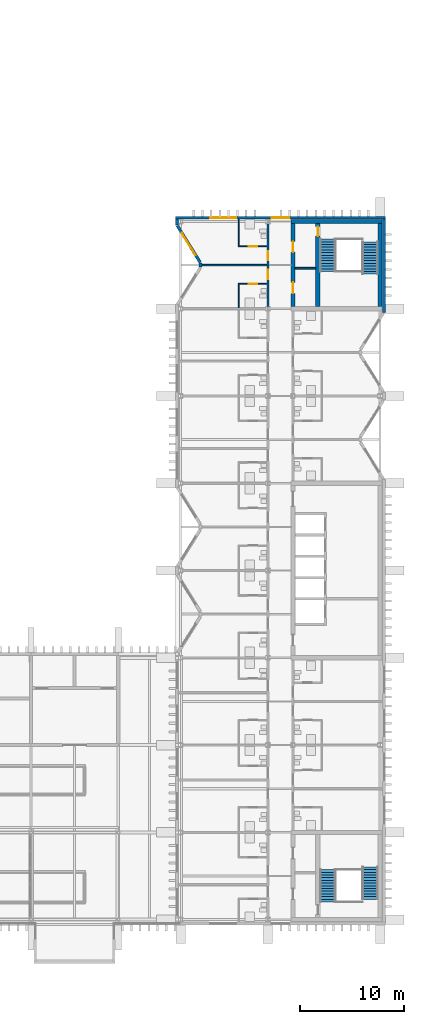
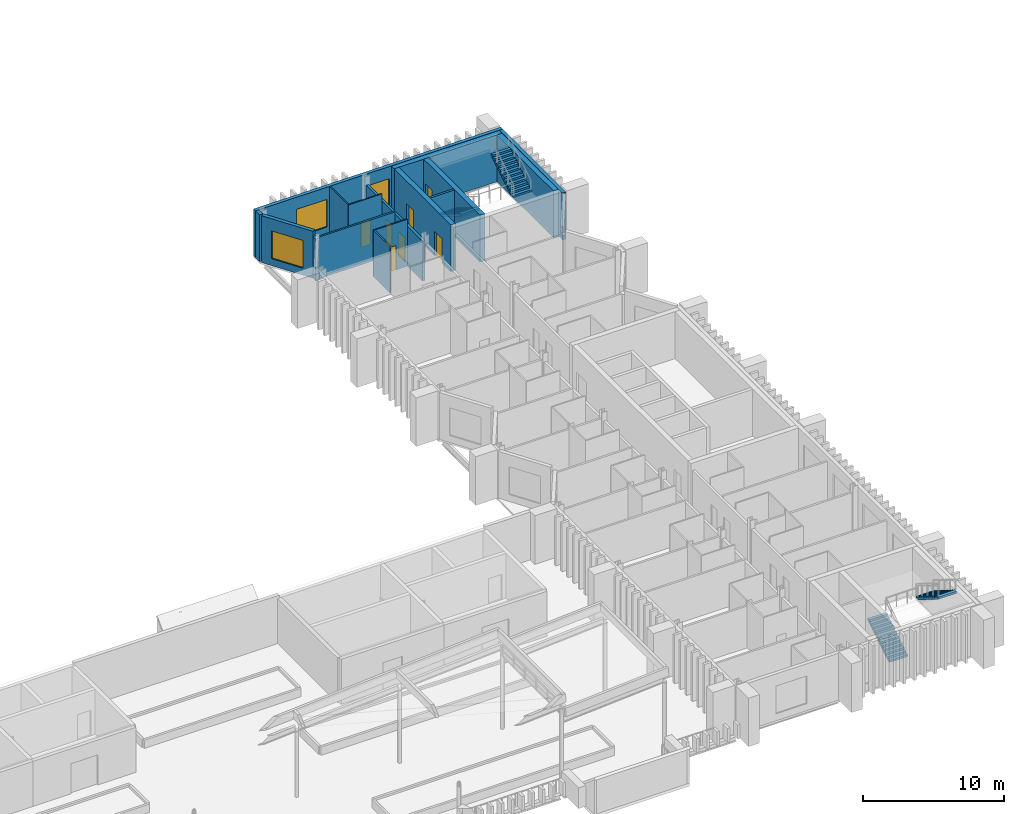
# One storey, part 42 of 51: 16 walls, 7 doors, 4 stair flights, 3 windows, 10 openings, 2 elements without a shape of their own.
"""IFC4 building model written with IfcOpenShell, lengths in metres."""

from ifc_helpers import new_model, si_unit, direction, frame, frame_2d, origin, place, context, subcontext, project, spatial, polyline, rectangle, outline, extrude, material, layer, layer_set, type_object, element, fill, aggregate, save


model = new_model("IFC4")

# Units and contexts
model_context = context("Model", 3, precision=1e-05, world=origin(), true_north=direction((0.0, 1.0)))
body_context = subcontext(model_context, "Body", "Model", "MODEL_VIEW")
ifc_project = project(units=[si_unit("LENGTHUNIT", "METRE"), si_unit("AREAUNIT", "SQUARE_METRE"), si_unit("VOLUMEUNIT", "CUBIC_METRE"), si_unit("PLANEANGLEUNIT", "RADIAN"), si_unit("MASSUNIT", "GRAM", prefix="KILO")], contexts=[model_context])

# Site, building, storey
site_placement = place(None, origin())
site = spatial("IfcSite", under=ifc_project, at=site_placement, CompositionType="ELEMENT")
building_placement = place(site_placement, origin())
building = spatial("IfcBuilding", under=site, at=building_placement, Name="Cresset Court Congress Hotel", CompositionType="ELEMENT")
storey_placement = place(building_placement, frame((0.0, 0.0, 18.60009765625)))
storey = spatial("IfcBuildingStorey", under=building, at=storey_placement, Name="L04", CompositionType="ELEMENT", Elevation=18.60009765625)

# Wall, openings, doors
ifc_material_1 = material(Name="Gypsum board partition")
ifc_layer_1 = layer(ifc_material_1, 0.199951171875)
ifc_layer_set_1 = layer_set([ifc_layer_1], Name="Corridor wall 200")
wall_type_1 = type_object("IfcWallType", Name="Corridor wall 200", PredefinedType="PARTITIONING", material=ifc_layer_set_1)
wall_1_placement = place(storey_placement, frame((165.60009765625, 59.007080078125, 0.0), z_axis=(0.0, 0.0, 1.0), x_axis=(0.0, 1.0, 0.0)))
wall_1 = element("IfcWall", 1, at=wall_1_placement, inside=storey, type_object=wall_type_1, Name="A.wl.L04.077", PredefinedType="PARTITIONING", context=body_context, shape_type="SweptSolid", body=[
    extrude(rectangle(XDim=7.98583984375, YDim=0.199951171875, at=frame_2d((3.992919921875, 0.0))), origin(), (0.0, 0.0, 1.0), 3.449951171875),
])
opening_1_placement = place(wall_1_placement, frame((2.64306640625, 0.0, 0.0)))
opening_1 = element("IfcOpeningElement", 2, at=opening_1_placement, cuts=wall_1, Name="Opening DA-04-30", PredefinedType="OPENING", context=body_context, shape_type="SweptSolid", body=[
    extrude(rectangle(XDim=0.89990234375, YDim=2.10009765625, at=frame_2d((0.449951171875, 1.050048828125))), frame((0.0, 0.10986328125, 0.0), z_axis=(0.0, -1.0, 0.0), x_axis=(1.0, 0.0, 0.0)), (0.0, 0.0, 1.0), 0.219970703125),
])
opening_2_placement = place(wall_1_placement, frame((4.443115234375, 0.0, 0.0)))
opening_2 = element("IfcOpeningElement", 3, at=opening_2_placement, cuts=wall_1, Name="Opening DA-04-32", PredefinedType="OPENING", context=body_context, shape_type="SweptSolid", body=[
    extrude(rectangle(XDim=0.89990234375, YDim=2.10009765625, at=frame_2d((0.449951171875, 1.050048828125))), frame((0.0, 0.10986328125, 0.0), z_axis=(0.0, -1.0, 0.0), x_axis=(1.0, 0.0, 0.0)), (0.0, 0.0, 1.0), 0.219970703125),
])
ifc_material_2 = material(Name="timber", Category="wood")
door_type_1 = type_object("IfcDoorType", Name="Guest-room entry door 900x2100 FD30S", OperationType="SINGLE_SWING_LEFT", PredefinedType="DOOR", material=ifc_material_2)
door_1_placement = place(opening_1_placement, origin())
door_1 = element("IfcDoor", 4, at=door_1_placement, inside=storey, type_object=door_type_1, Name="Door DA-04-30", OperationType="SINGLE_SWING_RIGHT", OverallHeight=2.10009765625, OverallWidth=0.89990234375, PredefinedType="DOOR", context=body_context, shape_type="SweptSolid", body=[
    extrude(rectangle(XDim=0.89990234375, YDim=2.10009765625, at=frame_2d((0.449951171875, 1.050048828125))), frame((0.0, 0.02490234375, 0.0), z_axis=(0.0, -1.0, 0.0), x_axis=(1.0, 0.0, 0.0)), (0.0, 0.0, 1.0), 0.050048828125),
])
fill(opening_1, door_1)
door_2_placement = place(opening_2_placement, origin())
door_2 = element("IfcDoor", 5, at=door_2_placement, inside=storey, type_object=door_type_1, Name="Door DA-04-32", OperationType="SINGLE_SWING_LEFT", OverallHeight=2.10009765625, OverallWidth=0.89990234375, PredefinedType="DOOR", context=body_context, shape_type="SweptSolid", body=[
    extrude(rectangle(XDim=0.89990234375, YDim=2.10009765625, at=frame_2d((0.449951171875, 1.050048828125))), frame((0.0, 0.02490234375, 0.0), z_axis=(0.0, -1.0, 0.0), x_axis=(1.0, 0.0, 0.0)), (0.0, 0.0, 1.0), 0.050048828125),
])
fill(opening_2, door_2)

# Wall
ifc_material_3 = material(Name="Gypsum board partition")
ifc_layer_2 = layer(ifc_material_3, 0.10009765625)
ifc_layer_set_2 = layer_set([ifc_layer_2], Name="En-suite wall 100")
wall_type_2 = type_object("IfcWallType", Name="En-suite wall 100", PredefinedType="PARTITIONING", material=ifc_layer_set_2)
wall_2_placement = place(storey_placement, frame((162.800048828125, 58.875, 0.0), z_axis=(0.0, 0.0, 1.0), x_axis=(0.0, 1.0, 0.0)))
element("IfcWall", 6, at=wall_2_placement, inside=storey, type_object=wall_type_2, Name="A.wl.L04.029", PredefinedType="PARTITIONING", context=body_context, shape_type="SweptSolid", body=[
    extrude(rectangle(XDim=2.324951171875, YDim=0.10009765625, at=frame_2d((1.16259765625, 0.0))), origin(), (0.0, 0.0, 1.0), 4.0498046875),
])

# Wall, opening, door
wall_3_placement = place(storey_placement, frame((162.75, 61.199951171875, 0.0), z_axis=(0.0, 0.0, 1.0), x_axis=(1.0, 0.0, 0.0)))
wall_3 = element("IfcWall", 7, at=wall_3_placement, inside=storey, type_object=wall_type_2, Name="A.wl.L04.030", PredefinedType="PARTITIONING", context=body_context, shape_type="SweptSolid", body=[
    extrude(rectangle(XDim=2.75, YDim=0.10009765625, at=frame_2d((1.375, 0.0))), origin(), (0.0, 0.0, 1.0), 4.0498046875),
])
opening_3_placement = place(wall_3_placement, frame((1.030029296875, 0.0, 0.0)))
opening_3 = element("IfcOpeningElement", 8, at=opening_3_placement, cuts=wall_3, Name="Opening DA-04-29", PredefinedType="OPENING", context=body_context, shape_type="SweptSolid", body=[
    extrude(rectangle(XDim=0.800048828125, YDim=2.10009765625, at=frame_2d((0.39990234375, 1.050048828125))), frame((0.0, 0.06005859375, 0.0), z_axis=(0.0, -1.0, 0.0), x_axis=(1.0, 0.0, 0.0)), (0.0, 0.0, 1.0), 0.1201171875),
])
ifc_material_4 = material(Name="timber", Category="wood")
door_type_2 = type_object("IfcDoorType", Name="En-suite door 800x2100", OperationType="SINGLE_SWING_LEFT", PredefinedType="DOOR", material=ifc_material_4)
door_3_placement = place(opening_3_placement, origin())
door_3 = element("IfcDoor", 9, at=door_3_placement, inside=storey, type_object=door_type_2, Name="Door DA-04-29", OperationType="SINGLE_SWING_RIGHT", OverallHeight=2.10009765625, OverallWidth=0.800048828125, PredefinedType="DOOR", context=body_context, shape_type="SweptSolid", body=[
    extrude(rectangle(XDim=0.800048828125, YDim=2.10009765625, at=frame_2d((0.39990234375, 1.050048828125))), frame((0.0, 0.02490234375, 0.0), z_axis=(0.0, -1.0, 0.0), x_axis=(1.0, 0.0, 0.0)), (0.0, 0.0, 1.0), 0.050048828125),
])
fill(opening_3, door_3)

# Wall
wall_4_placement = place(storey_placement, frame((162.800048828125, 64.800048828125, 0.0), z_axis=(0.0, 0.0, 1.0), x_axis=(0.0, 1.0, 0.0)))
element("IfcWall", 10, at=wall_4_placement, inside=storey, type_object=wall_type_2, Name="A.wl.L04.031", PredefinedType="PARTITIONING", context=body_context, shape_type="SweptSolid", body=[
    extrude(rectangle(XDim=2.619873046875, YDim=0.10009765625, at=frame_2d((1.31005859375, 0.0))), origin(), (0.0, 0.0, 1.0), 4.0498046875),
])

# Wall, opening, door
wall_5_placement = place(storey_placement, frame((162.75, 64.800048828125, 0.0), z_axis=(0.0, 0.0, 1.0), x_axis=(1.0, 0.0, 0.0)))
wall_5 = element("IfcWall", 11, at=wall_5_placement, inside=storey, type_object=wall_type_2, Name="A.wl.L04.032", PredefinedType="PARTITIONING", context=body_context, shape_type="SweptSolid", body=[
    extrude(rectangle(XDim=2.75, YDim=0.10009765625, at=frame_2d((1.375, 0.0))), origin(), (0.0, 0.0, 1.0), 4.0498046875),
])
opening_4_placement = place(wall_5_placement, frame((1.030029296875, 0.0, 0.0)))
opening_4 = element("IfcOpeningElement", 12, at=opening_4_placement, cuts=wall_5, Name="Opening DA-04-31", PredefinedType="OPENING", context=body_context, shape_type="SweptSolid", body=[
    extrude(rectangle(XDim=0.800048828125, YDim=2.10009765625, at=frame_2d((0.39990234375, 1.050048828125))), frame((0.0, 0.06005859375, 0.0), z_axis=(0.0, -1.0, 0.0), x_axis=(1.0, 0.0, 0.0)), (0.0, 0.0, 1.0), 0.1201171875),
])
door_4_placement = place(opening_4_placement, origin())
door_4 = element("IfcDoor", 13, at=door_4_placement, inside=storey, type_object=door_type_2, Name="Door DA-04-31", OperationType="SINGLE_SWING_LEFT", OverallHeight=2.10009765625, OverallWidth=0.800048828125, PredefinedType="DOOR", context=body_context, shape_type="SweptSolid", body=[
    extrude(rectangle(XDim=0.800048828125, YDim=2.10009765625, at=frame_2d((0.39990234375, 1.050048828125))), frame((0.0, 0.02490234375, 0.0), z_axis=(0.0, -1.0, 0.0), x_axis=(1.0, 0.0, 0.0)), (0.0, 0.0, 1.0), 0.050048828125),
])
fill(opening_4, door_4)

# Wall, opening, window
ifc_material_5 = material(Name="Precast concrete C50", Category="concrete")
ifc_layer_3 = layer(ifc_material_5, 0.280029296875)
ifc_layer_set_3 = layer_set([ifc_layer_3], Name="External wall 280")
wall_type_3 = type_object("IfcWallType", Name="External wall 280", PredefinedType="SOLIDWALL", material=ifc_layer_set_3)
wall_6_placement = place(storey_placement, frame((159.07861328125, 63.259033203125, 0.0), z_axis=(0.0, 0.0, 1.0), x_axis=(-0.529018946142, 0.848610013271, 0.0)))
wall_6 = element("IfcWall", 14, at=wall_6_placement, inside=storey, type_object=wall_type_3, Name="A.ew.L04.Wn.7.1", PredefinedType="SOLIDWALL", context=body_context, shape_type="SweptSolid", body=[
    extrude(rectangle(XDim=4.144287109375, YDim=0.280029296875, at=frame_2d((2.072265625, 0.0))), origin(), (0.0, 0.0, 1.0), 4.0498046875),
])
opening_5_placement = place(wall_6_placement, frame((0.812255859375, 0.0, 0.60009765625)))
opening_5 = element("IfcOpeningElement", 15, at=opening_5_placement, cuts=wall_6, Name="Opening NA-04-16", PredefinedType="OPENING", context=body_context, shape_type="SweptSolid", body=[
    extrude(rectangle(XDim=2.52001953125, YDim=2.39990234375, at=frame_2d((1.260009765625, 1.199951171875))), frame((0.0, 0.14990234375, 0.0), z_axis=(0.0, -1.0, 0.0), x_axis=(1.0, 0.0, 0.0)), (0.0, 0.0, 1.0), 0.300048828125),
])
ifc_material_6 = material(Name="Aluminium and glass", Category="aluminium")
window_type_1 = type_object("IfcWindowType", Name="Window 2520x2400", PartitioningType="SINGLE_PANEL", PredefinedType="WINDOW", material=ifc_material_6)
window_1_placement = place(opening_5_placement, origin())
window_1 = element("IfcWindow", 16, at=window_1_placement, inside=storey, type_object=window_type_1, Name="Window NA-04-16", OverallHeight=2.39990234375, OverallWidth=2.52001953125, PartitioningType="SINGLE_PANEL", PredefinedType="WINDOW", context=body_context, shape_type="SweptSolid", body=[
    extrude(rectangle(XDim=2.52001953125, YDim=2.39990234375, at=frame_2d((1.260009765625, 1.199951171875))), frame((0.0, 0.030029296875, 0.0), z_axis=(0.0, -1.0, 0.0), x_axis=(1.0, 0.0, 0.0)), (0.0, 0.0, 1.0), 0.06005859375),
])
fill(opening_5, window_1)

# Walls
wall_7_placement = place(storey_placement, frame((159.099609375, 62.815185546875, 0.0), z_axis=(0.0, 0.0, 1.0), x_axis=(0.0, 1.0, 0.0)))
element("IfcWall", 17, at=wall_7_placement, inside=storey, type_object=wall_type_3, Name="A.ew.L04.Wn.7.2", PredefinedType="SOLIDWALL", context=body_context, shape_type="SweptSolid", body=[
    extrude(rectangle(XDim=0.36962890625, YDim=0.280029296875, at=frame_2d((0.184814453125, 0.0))), origin(), (0.0, 0.0, 1.0), 3.60400390625),
])
wall_8_placement = place(storey_placement, frame((156.840087890625, 66.85009765625, 0.0), z_axis=(0.0, 0.0, 1.0), x_axis=(0.0, 1.0, 0.0)))
element("IfcWall", 18, at=wall_8_placement, inside=storey, type_object=wall_type_3, Name="A.ew.L04.W.4", PredefinedType="SOLIDWALL", context=body_context, shape_type="SweptSolid", body=[
    extrude(rectangle(XDim=0.56982421875, YDim=0.280029296875, at=frame_2d((0.284912109375, 0.0))), origin(), (0.0, 0.0, 1.0), 4.0498046875),
])
wall_9_placement = place(storey_placement, frame((176.760009765625, 58.449951171875, 0.0), z_axis=(0.0, 0.0, 1.0), x_axis=(0.0, 1.0, 0.0)))
element("IfcWall", 19, at=wall_9_placement, inside=storey, type_object=wall_type_3, Name="A.ew.L04.E.3", PredefinedType="SOLIDWALL", context=body_context, shape_type="SweptSolid", body=[
    extrude(rectangle(XDim=8.969970703125, YDim=0.280029296875, at=frame_2d((4.48486328125, 0.0))), origin(), (0.0, 0.0, 1.0), 4.0498046875),
])

# Wall, openings, windows
ifc_material_7 = material(Name="Precast concrete C50", Category="concrete")
ifc_layer_4 = layer(ifc_material_7, 0.280029296875)
ifc_layer_set_4 = layer_set([ifc_layer_4], Name="Gable end wall 280")
wall_type_4 = type_object("IfcWallType", Name="Gable end wall 280", PredefinedType="SOLIDWALL", material=ifc_layer_set_4)
wall_10_placement = place(storey_placement, frame((156.699951171875, 67.56005859375, 0.0), z_axis=(0.0, 0.0, 1.0), x_axis=(1.0, 0.0, 0.0)))
wall_10 = element("IfcWall", 20, at=wall_10_placement, inside=storey, type_object=wall_type_4, Name="A.ew.L04.N.1", PredefinedType="SOLIDWALL", context=body_context, shape_type="SweptSolid", body=[
    extrude(rectangle(XDim=20.199951171875, YDim=0.280029296875, at=frame_2d((10.10009765625, 0.0))), origin(), (0.0, 0.0, 1.0), 4.0498046875),
])
opening_6_placement = place(wall_10_placement, frame((9.260009765625, 0.0, 0.60009765625)))
opening_6 = element("IfcOpeningElement", 21, at=opening_6_placement, cuts=wall_10, Name="Opening NA-04-27", PredefinedType="OPENING", context=body_context, shape_type="SweptSolid", body=[
    extrude(rectangle(XDim=1.679931640625, YDim=2.39990234375, at=frame_2d((0.83984375, 1.199951171875))), frame((0.0, 0.14990234375, 0.0), z_axis=(0.0, -1.0, 0.0), x_axis=(1.0, 0.0, 0.0)), (0.0, 0.0, 1.0), 0.300048828125),
])
opening_7_placement = place(wall_10_placement, frame((3.340087890625, 0.0, 0.60009765625)))
opening_7 = element("IfcOpeningElement", 22, at=opening_7_placement, cuts=wall_10, Name="Opening NA-04-28", PredefinedType="OPENING", context=body_context, shape_type="SweptSolid", body=[
    extrude(rectangle(XDim=2.52001953125, YDim=2.39990234375, at=frame_2d((1.260009765625, 1.199951171875))), frame((0.0, 0.14990234375, 0.0), z_axis=(0.0, -1.0, 0.0), x_axis=(1.0, 0.0, 0.0)), (0.0, 0.0, 1.0), 0.300048828125),
])
ifc_material_8 = material(Name="Aluminium and glass", Category="aluminium")
window_type_2 = type_object("IfcWindowType", Name="Window 1680x2400", PartitioningType="SINGLE_PANEL", PredefinedType="WINDOW", material=ifc_material_8)
window_2_placement = place(opening_6_placement, origin())
window_2 = element("IfcWindow", 23, at=window_2_placement, inside=storey, type_object=window_type_2, Name="Window NA-04-27", OverallHeight=2.39990234375, OverallWidth=1.679931640625, PartitioningType="SINGLE_PANEL", PredefinedType="WINDOW", context=body_context, shape_type="SweptSolid", body=[
    extrude(rectangle(XDim=1.679931640625, YDim=2.39990234375, at=frame_2d((0.83984375, 1.199951171875))), frame((0.0, 0.030029296875, 0.0), z_axis=(0.0, -1.0, 0.0), x_axis=(1.0, 0.0, 0.0)), (0.0, 0.0, 1.0), 0.06005859375),
])
fill(opening_6, window_2)
window_3_placement = place(opening_7_placement, origin())
window_3 = element("IfcWindow", 24, at=window_3_placement, inside=storey, type_object=window_type_1, Name="Window NA-04-28", OverallHeight=2.39990234375, OverallWidth=2.52001953125, PartitioningType="SINGLE_PANEL", PredefinedType="WINDOW", context=body_context, shape_type="SweptSolid", body=[
    extrude(rectangle(XDim=2.52001953125, YDim=2.39990234375, at=frame_2d((1.260009765625, 1.199951171875))), frame((0.0, 0.030029296875, 0.0), z_axis=(0.0, -1.0, 0.0), x_axis=(1.0, 0.0, 0.0)), (0.0, 0.0, 1.0), 0.06005859375),
])
fill(opening_7, window_3)

# Walls
ifc_material_9 = material(Name="Gypsum board partition")
ifc_layer_5 = layer(ifc_material_9, 0.14990234375)
ifc_layer_set_5 = layer_set([ifc_layer_5], Name="Guest-room partition 150")
wall_type_5 = type_object("IfcWallType", Name="Guest-room partition 150", PredefinedType="PARTITIONING", material=ifc_layer_set_5)
wall_11_placement = place(storey_placement, frame((159.23974609375, 63.0, 0.0), z_axis=(0.0, 0.0, 1.0), x_axis=(1.0, 0.0, 0.0)))
element("IfcWall", 25, at=wall_11_placement, inside=storey, type_object=wall_type_5, Name="A.wl.L04.065", PredefinedType="PARTITIONING", context=body_context, shape_type="SweptSolid", body=[
    extrude(rectangle(XDim=6.26025390625, YDim=0.14990234375, at=frame_2d((3.130126953125, 0.0))), origin(), (0.0, 0.0, 1.0), 3.60400390625),
])
ifc_material_10 = material(Name="Concrete block wall", Category="concrete")
ifc_layer_6 = layer(ifc_material_10, 0.175048828125)
ifc_layer_set_6 = layer_set([ifc_layer_6], Name="Riser shaft wall 175")
wall_type_6 = type_object("IfcWallType", Name="Riser shaft wall 175", PredefinedType="PARTITIONING", material=ifc_layer_set_6)
wall_12_placement = place(storey_placement, frame((168.199951171875, 62.699951171875, 0.0), z_axis=(0.0, 0.0, 1.0), x_axis=(1.0, 0.0, 0.0)))
element("IfcWall", 26, at=wall_12_placement, inside=storey, type_object=wall_type_6, Name="A.wl.L04.085", PredefinedType="PARTITIONING", context=body_context, shape_type="SweptSolid", body=[
    extrude(rectangle(XDim=2.0, YDim=0.175048828125, at=frame_2d((1.0, 0.0))), origin(), (0.0, 0.0, 1.0), 4.0498046875),
])
ifc_material_11 = material(Name="Concrete C50", Category="concrete")
ifc_layer_7 = layer(ifc_material_11, 0.39990234375)
ifc_layer_set_7 = layer_set([ifc_layer_7], Name="Stair core wall 400")
wall_type_7 = type_object("IfcWallType", Name="Stair core wall 400", PredefinedType="SOLIDWALL", material=ifc_layer_set_7)
wall_13_placement = place(storey_placement, frame((167.800048828125, 67.199951171875, 0.0), z_axis=(0.0, 0.0, 1.0), x_axis=(1.0, 0.0, 0.0)))
element("IfcWall", 27, at=wall_13_placement, inside=storey, type_object=wall_type_7, Name="A.cw.ST-A2.L04.N", PredefinedType="SOLIDWALL", context=body_context, shape_type="SweptSolid", body=[
    extrude(rectangle(XDim=8.800048828125, YDim=0.39990234375, at=frame_2d((4.39990234375, 0.0))), origin(), (0.0, 0.0, 1.0), 4.0498046875),
])

# Wall, openings, doors
wall_14_placement = place(storey_placement, frame((168.0, 59.0, 0.0), z_axis=(0.0, 0.0, 1.0), x_axis=(0.0, 1.0, 0.0)))
wall_14 = element("IfcWall", 28, at=wall_14_placement, inside=storey, type_object=wall_type_7, Name="A.cw.ST-A2.L04.W", PredefinedType="SOLIDWALL", context=body_context, shape_type="SweptSolid", body=[
    extrude(rectangle(XDim=8.0, YDim=0.39990234375, at=frame_2d((4.0, 0.0))), origin(), (0.0, 0.0, 1.0), 4.0498046875),
])
opening_8_placement = place(wall_14_placement, frame((5.25, 0.0, 0.0)))
opening_8 = element("IfcOpeningElement", 29, at=opening_8_placement, cuts=wall_14, Name="Opening DA-04-53", PredefinedType="OPENING", context=body_context, shape_type="SweptSolid", body=[
    extrude(rectangle(XDim=1.0, YDim=2.10009765625, at=frame_2d((0.5, 1.050048828125))), frame((0.0, 0.2099609375, 0.0), z_axis=(0.0, -1.0, 0.0), x_axis=(1.0, 0.0, 0.0)), (0.0, 0.0, 1.0), 0.419921875),
])
opening_9_placement = place(wall_14_placement, frame((1.27490234375, 0.0, 0.0)))
opening_9 = element("IfcOpeningElement", 30, at=opening_9_placement, cuts=wall_14, Name="Opening DA-04-54", PredefinedType="OPENING", context=body_context, shape_type="SweptSolid", body=[
    extrude(rectangle(XDim=1.050048828125, YDim=2.10009765625, at=frame_2d((0.52490234375, 1.050048828125))), frame((0.0, 0.2099609375, 0.0), z_axis=(0.0, -1.0, 0.0), x_axis=(1.0, 0.0, 0.0)), (0.0, 0.0, 1.0), 0.419921875),
])
ifc_material_12 = material(Name="steel", Category="steel")
door_type_3 = type_object("IfcDoorType", Name="Housekeeping room door 1050x2100 FD30", OperationType="SINGLE_SWING_LEFT", PredefinedType="DOOR", material=ifc_material_12)
door_5_placement = place(opening_9_placement, origin())
door_5 = element("IfcDoor", 31, at=door_5_placement, inside=storey, type_object=door_type_3, Name="Door DA-04-54", OperationType="SINGLE_SWING_RIGHT", OverallHeight=2.10009765625, OverallWidth=1.050048828125, PredefinedType="DOOR", context=body_context, shape_type="SweptSolid", body=[
    extrude(rectangle(XDim=1.050048828125, YDim=2.10009765625, at=frame_2d((0.52490234375, 1.050048828125))), frame((0.0, 0.02490234375, 0.0), z_axis=(0.0, -1.0, 0.0), x_axis=(1.0, 0.0, 0.0)), (0.0, 0.0, 1.0), 0.050048828125),
])
fill(opening_9, door_5)
ifc_material_13 = material(Name="steel", Category="steel")
door_type_4 = type_object("IfcDoorType", Name="Lobby door 1000x2100 FD60", OperationType="SINGLE_SWING_LEFT", PredefinedType="DOOR", material=ifc_material_13)
door_6_placement = place(opening_8_placement, origin())
door_6 = element("IfcDoor", 32, at=door_6_placement, inside=storey, type_object=door_type_4, Name="Door DA-04-53", OperationType="SINGLE_SWING_LEFT", OverallHeight=2.10009765625, OverallWidth=1.0, PredefinedType="DOOR", context=body_context, shape_type="SweptSolid", body=[
    extrude(rectangle(XDim=1.0, YDim=2.10009765625, at=frame_2d((0.5, 1.050048828125))), frame((0.0, 0.02490234375, 0.0), z_axis=(0.0, -1.0, 0.0), x_axis=(1.0, 0.0, 0.0)), (0.0, 0.0, 1.0), 0.050048828125),
])
fill(opening_8, door_6)

# Wall
wall_15_placement = place(storey_placement, frame((176.39990234375, 59.0, 0.0), z_axis=(0.0, 0.0, 1.0), x_axis=(0.0, 1.0, 0.0)))
element("IfcWall", 33, at=wall_15_placement, inside=storey, type_object=wall_type_7, Name="A.cw.ST-A2.L04.E", PredefinedType="SOLIDWALL", context=body_context, shape_type="SweptSolid", body=[
    extrude(rectangle(XDim=8.0, YDim=0.39990234375, at=frame_2d((4.0, 0.0))), origin(), (0.0, 0.0, 1.0), 4.0498046875),
])

# Wall, opening, door
wall_16_placement = place(storey_placement, frame((170.39990234375, 59.0, 0.0), z_axis=(0.0, 0.0, 1.0), x_axis=(0.0, 1.0, 0.0)))
wall_16 = element("IfcWall", 34, at=wall_16_placement, inside=storey, type_object=wall_type_7, Name="A.wl.L04.084", PredefinedType="SOLIDWALL", context=body_context, shape_type="SweptSolid", body=[
    extrude(rectangle(XDim=8.0, YDim=0.39990234375, at=frame_2d((4.0, 0.0))), origin(), (0.0, 0.0, 1.0), 4.0498046875),
])
opening_10_placement = place(wall_16_placement, frame((6.800048828125, 0.0, 0.0)))
opening_10 = element("IfcOpeningElement", 35, at=opening_10_placement, cuts=wall_16, Name="Opening DA-04-52", PredefinedType="OPENING", context=body_context, shape_type="SweptSolid", body=[
    extrude(rectangle(XDim=0.89990234375, YDim=2.10009765625, at=frame_2d((0.449951171875, 1.050048828125))), frame((0.0, 0.2099609375, 0.0), z_axis=(0.0, -1.0, 0.0), x_axis=(1.0, 0.0, 0.0)), (0.0, 0.0, 1.0), 0.419921875),
])
ifc_material_14 = material(Name="steel", Category="steel")
door_type_5 = type_object("IfcDoorType", Name="Stair door 900x2100 FD60", OperationType="SINGLE_SWING_LEFT", PredefinedType="DOOR", material=ifc_material_14)
door_7_placement = place(opening_10_placement, origin())
door_7 = element("IfcDoor", 36, at=door_7_placement, inside=storey, type_object=door_type_5, Name="Door DA-04-52", OperationType="SINGLE_SWING_RIGHT", OverallHeight=2.10009765625, OverallWidth=0.89990234375, PredefinedType="DOOR", context=body_context, shape_type="SweptSolid", body=[
    extrude(rectangle(XDim=0.89990234375, YDim=2.10009765625, at=frame_2d((0.449951171875, 1.050048828125))), frame((0.0, 0.02490234375, 0.0), z_axis=(0.0, -1.0, 0.0), x_axis=(1.0, 0.0, 0.0)), (0.0, 0.0, 1.0), 0.050048828125),
])
fill(opening_10, door_7)

# Stair, stair flights
ifc_material_15 = material(Name="Concrete C40", Category="concrete")
stair_type = type_object("IfcStairType", Name="Concrete dog-leg stair 5600", PredefinedType="HALF_TURN_STAIR", material=ifc_material_15)
stair_1_placement = place(storey_placement, origin())
stair_1 = element("IfcStair", 37, at=stair_1_placement, inside=storey, type_object=stair_type, Name="Stair A1 L04", PredefinedType="HALF_TURN_STAIR")
ifc_material_16 = material(Name="Concrete C40", Category="concrete")
stair_flight_type = type_object("IfcStairFlightType", Name="Concrete stair flight", PredefinedType="STRAIGHT", material=ifc_material_16)
stair_flight_1_placement = place(storey_placement, frame((171.35009765625, 1.699951171875, 0.0), z_axis=(0.0, 0.0, 1.0), x_axis=(0.0, 1.0, 0.0)))
stair_flight_1 = element("IfcStairFlight", 38, at=stair_flight_1_placement, type_object=stair_flight_type, Name="A-ST1 flight 1", NumberOfRisers=13, NumberOfTreads=12, PredefinedType="STRAIGHT", RiserHeight=0.161538462, TreadLength=0.26, context=body_context, shape_type="SweptSolid", body=[
    extrude(outline(polyline([(0.0, 0.0), (0.0, 0.16162109375), (0.260009765625, 0.16162109375), (0.260009765625, 0.322998046875), (0.52001953125, 0.322998046875), (0.52001953125, 0.484619140625), (0.780029296875, 0.484619140625), (0.780029296875, 0.646240234375), (1.0400390625, 0.646240234375), (1.0400390625, 0.8076171875), (1.300048828125, 0.8076171875), (1.300048828125, 0.96923828125), (1.56005859375, 0.96923828125), (1.56005859375, 1.130859375), (1.820068359375, 1.130859375), (1.820068359375, 1.292236328125), (2.080078125, 1.292236328125), (2.080078125, 1.453857421875), (2.340087890625, 1.453857421875), (2.340087890625, 1.615478515625), (2.60009765625, 1.615478515625), (2.60009765625, 1.77685546875), (2.860107421875, 1.77685546875), (2.860107421875, 1.9384765625), (3.1201171875, 1.9384765625), (3.1201171875, 2.10009765625), (3.1201171875, 1.761962890625), (0.283935546875, 0.0), (0.0, 0.0)])), frame((0.0, 0.75, 0.0), z_axis=(0.0, -1.0, 0.0), x_axis=(1.0, 0.0, 0.0)), (0.0, 0.0, 1.0), 1.5),
])
stair_flight_2_placement = place(storey_placement, frame((175.449951171875, 5.080078125, 2.099853515625), z_axis=(0.0, 0.0, 1.0), x_axis=(0.0, -1.0, 0.0)))
stair_flight_2 = element("IfcStairFlight", 39, at=stair_flight_2_placement, type_object=stair_flight_type, Name="A-ST1 flight 2", NumberOfRisers=13, NumberOfTreads=12, PredefinedType="STRAIGHT", RiserHeight=0.161538462, TreadLength=0.26, context=body_context, shape_type="SweptSolid", body=[
    extrude(outline(polyline([(0.0, 0.0), (0.0, 0.16162109375), (0.260009765625, 0.16162109375), (0.260009765625, 0.322998046875), (0.52001953125, 0.322998046875), (0.52001953125, 0.484619140625), (0.780029296875, 0.484619140625), (0.780029296875, 0.646240234375), (1.0400390625, 0.646240234375), (1.0400390625, 0.8076171875), (1.300048828125, 0.8076171875), (1.300048828125, 0.96923828125), (1.56005859375, 0.96923828125), (1.56005859375, 1.130859375), (1.820068359375, 1.130859375), (1.820068359375, 1.292236328125), (2.080078125, 1.292236328125), (2.080078125, 1.453857421875), (2.340087890625, 1.453857421875), (2.340087890625, 1.615478515625), (2.60009765625, 1.615478515625), (2.60009765625, 1.77685546875), (2.860107421875, 1.77685546875), (2.860107421875, 1.9384765625), (3.1201171875, 1.9384765625), (3.1201171875, 2.10009765625), (3.1201171875, 1.761962890625), (0.283935546875, 0.0), (0.0, 0.0)])), frame((0.0, 0.75, 0.0), z_axis=(0.0, -1.0, 0.0), x_axis=(1.0, 0.0, 0.0)), (0.0, 0.0, 1.0), 1.5),
])
aggregate(stair_1, [stair_flight_1, stair_flight_2])

stair_2_placement = place(storey_placement, origin())
stair_2 = element("IfcStair", 40, at=stair_2_placement, inside=storey, type_object=stair_type, Name="Stair A2 L04", PredefinedType="HALF_TURN_STAIR")
stair_flight_3_placement = place(storey_placement, frame((171.35009765625, 65.5, 0.0), z_axis=(0.0, 0.0, 1.0), x_axis=(0.0, -1.0, 0.0)))
stair_flight_3 = element("IfcStairFlight", 41, at=stair_flight_3_placement, type_object=stair_flight_type, Name="A-ST1 flight 1", NumberOfRisers=13, NumberOfTreads=12, PredefinedType="STRAIGHT", RiserHeight=0.161538462, TreadLength=0.26, context=body_context, shape_type="SweptSolid", body=[
    extrude(outline(polyline([(0.0, 0.0), (0.0, 0.16162109375), (0.260009765625, 0.16162109375), (0.260009765625, 0.322998046875), (0.52001953125, 0.322998046875), (0.52001953125, 0.484619140625), (0.780029296875, 0.484619140625), (0.780029296875, 0.646240234375), (1.0400390625, 0.646240234375), (1.0400390625, 0.8076171875), (1.300048828125, 0.8076171875), (1.300048828125, 0.96923828125), (1.56005859375, 0.96923828125), (1.56005859375, 1.130859375), (1.820068359375, 1.130859375), (1.820068359375, 1.292236328125), (2.080078125, 1.292236328125), (2.080078125, 1.453857421875), (2.340087890625, 1.453857421875), (2.340087890625, 1.615478515625), (2.60009765625, 1.615478515625), (2.60009765625, 1.77685546875), (2.860107421875, 1.77685546875), (2.860107421875, 1.9384765625), (3.1201171875, 1.9384765625), (3.1201171875, 2.10009765625), (3.1201171875, 1.761962890625), (0.283935546875, 0.0), (0.0, 0.0)])), frame((0.0, 0.75, 0.0), z_axis=(0.0, -1.0, 0.0), x_axis=(1.0, 0.0, 0.0)), (0.0, 0.0, 1.0), 1.5),
])
stair_flight_4_placement = place(storey_placement, frame((175.449951171875, 62.1201171875, 2.099853515625), z_axis=(0.0, 0.0, 1.0), x_axis=(0.0, 1.0, 0.0)))
stair_flight_4 = element("IfcStairFlight", 42, at=stair_flight_4_placement, type_object=stair_flight_type, Name="A-ST1 flight 2", NumberOfRisers=13, NumberOfTreads=12, PredefinedType="STRAIGHT", RiserHeight=0.161538462, TreadLength=0.26, context=body_context, shape_type="SweptSolid", body=[
    extrude(outline(polyline([(0.0, 0.0), (0.0, 0.16162109375), (0.260009765625, 0.16162109375), (0.260009765625, 0.322998046875), (0.52001953125, 0.322998046875), (0.52001953125, 0.484619140625), (0.780029296875, 0.484619140625), (0.780029296875, 0.646240234375), (1.0400390625, 0.646240234375), (1.0400390625, 0.8076171875), (1.300048828125, 0.8076171875), (1.300048828125, 0.96923828125), (1.56005859375, 0.96923828125), (1.56005859375, 1.130859375), (1.820068359375, 1.130859375), (1.820068359375, 1.292236328125), (2.080078125, 1.292236328125), (2.080078125, 1.453857421875), (2.340087890625, 1.453857421875), (2.340087890625, 1.615478515625), (2.60009765625, 1.615478515625), (2.60009765625, 1.77685546875), (2.860107421875, 1.77685546875), (2.860107421875, 1.9384765625), (3.1201171875, 1.9384765625), (3.1201171875, 2.10009765625), (3.1201171875, 1.761962890625), (0.283935546875, 0.0), (0.0, 0.0)])), frame((0.0, 0.75, 0.0), z_axis=(0.0, -1.0, 0.0), x_axis=(1.0, 0.0, 0.0)), (0.0, 0.0, 1.0), 1.5),
])
aggregate(stair_2, [stair_flight_3, stair_flight_4])

save(model, "model.ifc")
